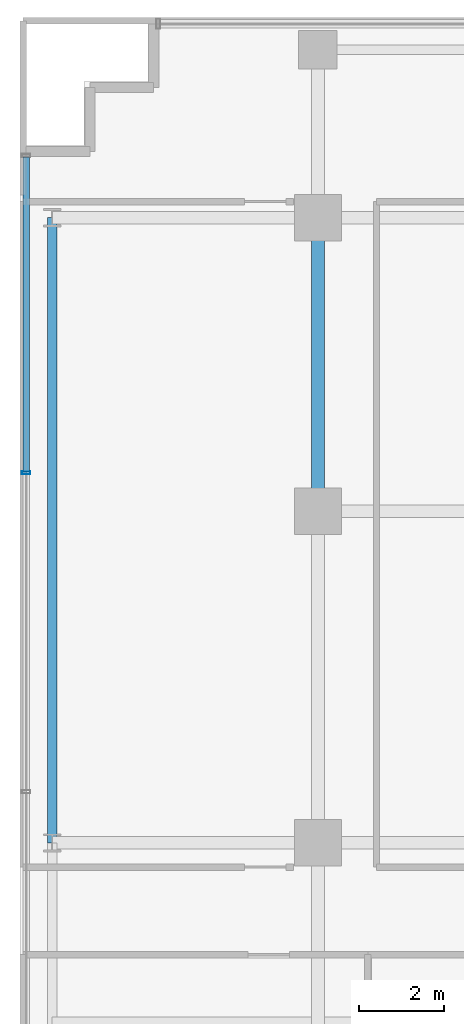
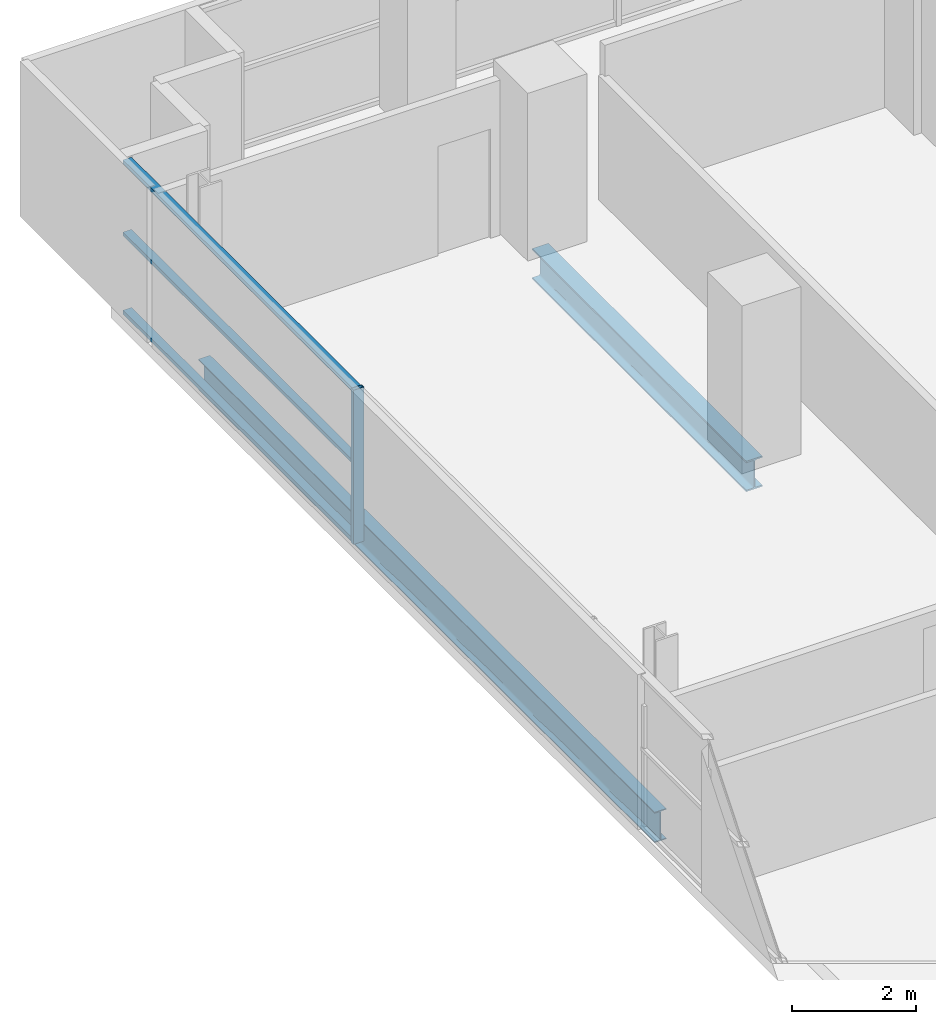
# One storey, part 9 of 27: 4 members, 2 beams, 1 element without a shape of its own.
"""IFC4 building model written with IfcOpenShell, lengths in metres."""

import ifcopenshell
import ifcopenshell.guid

model = None  # the IFC model being written
_history = None  # IfcOwnerHistory: only IFC2X3 demands one
_inside = {}  # id of a spatial element -> (the spatial element, [elements in it])
_under = {}  # id of a project, library or spatial element -> (it, [spatial elements below it])
_declared = {}  # id of a project -> (the project, [libraries it declares])
_typed = {}  # id of a type object -> (the type object, [elements of that type])
_made_of = {}  # id of a material, layer set ... -> (it, [elements and type objects made of it])


def new_model(schema):
    """Start an empty IFC model of exactly this schema.

    Asked for "IFC4X3", IfcOpenShell would pick the latest addendum, in which some entities
    have other attributes; the version numbers below select the first issue.
    IFC2X3 requires an IfcOwnerHistory on every rooted entity: one is made here for all.
    """
    global model, _history
    if schema == "IFC4X3":
        model = ifcopenshell.file(schema_version=(4, 3, 0, 0))
    else:
        model = ifcopenshell.file(schema=schema)
    _inside.clear()
    _under.clear()
    _declared.clear()
    _typed.clear()
    _made_of.clear()
    _history = None
    if model.schema == "IFC2X3":
        org = make("IfcOrganization", Name="unknown")
        user = make(
            "IfcPersonAndOrganization",
            ThePerson=make("IfcPerson", FamilyName="unknown"),
            TheOrganization=org,
        )
        app = make(
            "IfcApplication",
            ApplicationDeveloper=org,
            Version="unknown",
            ApplicationFullName="unknown",
            ApplicationIdentifier="unknown",
        )
        _history = make(
            "IfcOwnerHistory",
            OwningUser=user,
            OwningApplication=app,
            ChangeAction="ADDED",
            CreationDate=0,
        )
    return model


def make(cls, **values):
    """One entity of the class cls with the attributes given. An attribute that is None is left unset."""
    return model.create_entity(
        cls, **{name: value for name, value in values.items() if value is not None}
    )


def rooted(cls, **values):
    """An entity with a GlobalId (a new one), such as an element, a storey or a relation."""
    return make(cls, GlobalId=ifcopenshell.guid.new(), OwnerHistory=_history, **values)


def si_unit(unit_type, name, prefix=None):
    """IfcSIUnit, for example si_unit("LENGTHUNIT", "METRE", prefix="MILLI")."""
    return make("IfcSIUnit", UnitType=unit_type, Prefix=prefix, Name=name)


def assignment(units):
    """IfcUnitAssignment: the units of a project."""
    return None if units is None else make("IfcUnitAssignment", Units=units)


def point(xyz):
    """IfcCartesianPoint."""
    return None if xyz is None else make("IfcCartesianPoint", Coordinates=xyz)


def direction(xyz):
    """IfcDirection."""
    return None if xyz is None else make("IfcDirection", DirectionRatios=xyz)


def frame(location, z_axis=None, x_axis=None):
    """IfcAxis2Placement3D, a coordinate frame: its origin and axes. An axis left out is left unset."""
    return make(
        "IfcAxis2Placement3D",
        Location=point(location),
        Axis=direction(z_axis),
        RefDirection=direction(x_axis),
    )


def frame_2d(location, x_axis=None):
    """IfcAxis2Placement2D, a coordinate frame in the plane: its origin and x axis."""
    return make(
        "IfcAxis2Placement2D", Location=point(location), RefDirection=direction(x_axis)
    )


def origin():
    """The frame at (0, 0, 0) with its axes left unset."""
    return frame((0.0, 0.0, 0.0))


def origin_2d():
    """The frame at (0, 0) in the plane with its x axis left unset."""
    return frame_2d((0.0, 0.0))


def place(relative_to, where):
    """IfcLocalPlacement: puts the frame where relative to a parent placement (None: the world)."""
    return make(
        "IfcLocalPlacement", PlacementRelTo=relative_to, RelativePlacement=where
    )


def context(
    kind, dimensions, precision=None, world=None, true_north=None, identifier=None
):
    """IfcGeometricRepresentationContext, for example the 3D "Model" context."""
    return make(
        "IfcGeometricRepresentationContext",
        ContextIdentifier=identifier,
        ContextType=kind,
        CoordinateSpaceDimension=dimensions,
        Precision=precision,
        WorldCoordinateSystem=world,
        TrueNorth=true_north,
    )


def subcontext(parent, identifier, kind, view, scale=None):
    """IfcGeometricRepresentationSubContext, for example "Body" below "Model"."""
    return make(
        "IfcGeometricRepresentationSubContext",
        ContextIdentifier=identifier,
        ContextType=kind,
        ParentContext=parent,
        TargetScale=scale,
        TargetView=view,
    )


def project(units=None, contexts=None):
    """IfcProject with its units and contexts."""
    return rooted(
        "IfcProject",
        Name="project",
        RepresentationContexts=contexts,
        UnitsInContext=assignment(units),
    )


def spatial(cls, under=None, at=None, **own):
    """A site, building, storey or space (cls), placed at a placement, below another one or the project."""
    s = rooted(cls, ObjectPlacement=at, **own)
    if under is not None:
        _under.setdefault(under.id(), (under, []))[1].append(s)
    return s


def profile(cls, at=None, kind="AREA", **sizes):
    """A parametric profile (cls). Its sizes go by their IFC names, for example OverallWidth=200.0."""
    return make(cls, ProfileType=kind, Position=at, **sizes)


def hollow_rectangle(**sizes):
    """IfcRectangleHollowProfileDef."""
    return profile("IfcRectangleHollowProfileDef", **sizes)


def i_section(**sizes):
    """IfcIShapeProfileDef."""
    return profile("IfcIShapeProfileDef", **sizes)


def extrude(swept, where, along, depth):
    """IfcExtrudedAreaSolid: the profile swept, set in the frame where, extruded along a direction by depth."""
    return make(
        "IfcExtrudedAreaSolid",
        SweptArea=swept,
        Position=where,
        ExtrudedDirection=direction(along),
        Depth=depth,
    )


def shape(context_of_items, identifier, shape_type, items):
    """IfcShapeRepresentation: the items that make up one representation, for example the "Body"."""
    return make(
        "IfcShapeRepresentation",
        ContextOfItems=context_of_items,
        RepresentationIdentifier=identifier,
        RepresentationType=shape_type,
        Items=items,
    )


def source(mapping_origin, context_of_items, identifier, shape_type, items):
    """IfcRepresentationMap: a shape defined once, which mapped items show again and again."""
    return make(
        "IfcRepresentationMap",
        MappingOrigin=mapping_origin,
        MappedRepresentation=shape(context_of_items, identifier, shape_type, items),
    )


def transform(
    local_origin,
    x_axis=None,
    y_axis=None,
    z_axis=None,
    scale=None,
    scale2=None,
    scale3=None,
    uniform=True,
):
    """IfcCartesianTransformationOperator3D, or its non-uniform kind. x_axis, y_axis, z_axis: its Axis1, 2, 3."""
    if uniform:
        return make(
            "IfcCartesianTransformationOperator3D",
            Axis1=direction(x_axis),
            Axis2=direction(y_axis),
            LocalOrigin=point(local_origin),
            Scale=scale,
            Axis3=direction(z_axis),
        )
    return make(
        "IfcCartesianTransformationOperator3DnonUniform",
        Axis1=direction(x_axis),
        Axis2=direction(y_axis),
        LocalOrigin=point(local_origin),
        Scale=scale,
        Axis3=direction(z_axis),
        Scale2=scale2,
        Scale3=scale3,
    )


def mapped(mapping_source, mapping_target):
    """IfcMappedItem: shows the shape of a source again, moved by a transform."""
    return make(
        "IfcMappedItem", MappingSource=mapping_source, MappingTarget=mapping_target
    )


def material(Name=None, Category=None):
    """IfcMaterial."""
    return make("IfcMaterial", Name=Name, Category=Category)


def layer(
    of_material, thickness, ventilated=None, Name=None, Category=None, Priority=None
):
    """IfcMaterialLayer: one layer of a wall or slab, of a material (None: an air gap)."""
    return make(
        "IfcMaterialLayer",
        Material=of_material,
        LayerThickness=thickness,
        IsVentilated=ventilated,
        Name=Name,
        Category=Category,
        Priority=Priority,
    )


def layer_set(layers, Name=None):
    """IfcMaterialLayerSet."""
    return make("IfcMaterialLayerSet", MaterialLayers=layers, LayerSetName=Name)


def material_profile(
    of_material, cross_section, Name=None, Category=None, Priority=None
):
    """IfcMaterialProfile: a cross section and its material."""
    return make(
        "IfcMaterialProfile",
        Name=Name,
        Material=of_material,
        Profile=cross_section,
        Priority=Priority,
        Category=Category,
    )


def profile_set(profiles, Name=None, composite=None):
    """IfcMaterialProfileSet."""
    return make(
        "IfcMaterialProfileSet",
        Name=Name,
        MaterialProfiles=profiles,
        CompositeProfile=composite,
    )


def made_of(thing, what):
    """Note that an element or type object is made of a material, layer set ...; save() writes the relation."""
    if what is not None:
        _made_of.setdefault(what.id(), (what, []))[1].append(thing)
    return thing


def type_object(cls, material=None, **own):
    """A type object (cls), such as IfcWallType, which elements share."""
    return made_of(rooted(cls, **own), material)


def element(
    cls,
    number,
    at=None,
    inside=None,
    cuts=None,
    type_object=None,
    material=None,
    context=None,
    identifier="Body",
    shape_type=None,
    held_by="IfcProductDefinitionShape",
    body=None,
    shapes=None,
    **own,
):
    """One element of the class cls, such as IfcWall. Its Tag is "e" and its number.

    at: its placement. inside: the storey or other place that contains it. cuts: it is an
    opening in that element (IfcRelVoidsElement). A single representation is given by context,
    identifier, shape_type and body (its items); several are given by shapes. held_by: the class
    of the entity that holds the representations. save() writes the other relations.
    """
    e = rooted(cls, Tag="e%d" % number, ObjectPlacement=at, **own)
    if body is not None:
        shapes = [shape(context, identifier, shape_type, body)]
    if shapes is not None:
        e.Representation = make(held_by, Representations=shapes)
    if inside is not None:
        _inside.setdefault(inside.id(), (inside, []))[1].append(e)
    if cuts is not None:
        rooted(
            "IfcRelVoidsElement", RelatingBuildingElement=cuts, RelatedOpeningElement=e
        )
    if type_object is not None:
        _typed.setdefault(type_object.id(), (type_object, []))[1].append(e)
    return made_of(e, material)


def aggregate(whole, parts):
    """IfcRelAggregates: a whole, such as a stair, and the parts it consists of."""
    return rooted("IfcRelAggregates", RelatingObject=whole, RelatedObjects=parts)


def save(model, path):
    """Write the relations noted so far, then the file.

    IfcRelAggregates (storeys below a building ...), IfcRelContainedInSpatialStructure (elements
    in a storey), IfcRelDefinesByType, IfcRelAssociatesMaterial and IfcRelDeclares: one each for
    every whole, place, type object, material and project.
    """
    for whole, parts in _under.values():
        aggregate(whole, parts)
    for where, things in _inside.values():
        rooted(
            "IfcRelContainedInSpatialStructure",
            RelatedElements=things,
            RelatingStructure=where,
        )
    for kind, things in _typed.values():
        rooted("IfcRelDefinesByType", RelatedObjects=things, RelatingType=kind)
    for what, things in _made_of.values():
        rooted("IfcRelAssociatesMaterial", RelatedObjects=things, RelatingMaterial=what)
    for by, libraries in _declared.values():
        rooted("IfcRelDeclares", RelatingContext=by, RelatedDefinitions=libraries)
    model.write(path)


model = new_model("IFC4")

# Units and contexts
model_context = context("Model", 3, precision=1e-05, world=origin(), true_north=direction((0.0, 1.0)))
body_context = subcontext(model_context, "Body", "Model", "MODEL_VIEW")
ifc_project = project(units=[si_unit("LENGTHUNIT", "METRE"), si_unit("AREAUNIT", "SQUARE_METRE"), si_unit("VOLUMEUNIT", "CUBIC_METRE"), si_unit("PLANEANGLEUNIT", "RADIAN"), si_unit("MASSUNIT", "GRAM", prefix="KILO")], contexts=[model_context])

# Site, building, storey
site_placement = place(None, origin())
site = spatial("IfcSite", under=ifc_project, at=site_placement, CompositionType="ELEMENT")
building_placement = place(site_placement, origin())
building = spatial("IfcBuilding", under=site, at=building_placement, Name="Zarnakvel Exchange Tower", CompositionType="ELEMENT")
storey_placement = place(building_placement, frame((0.0, 0.0, 76.89990234375)))
storey = spatial("IfcBuildingStorey", under=building, at=storey_placement, Name="L21", CompositionType="ELEMENT", Elevation=76.89990234375)

# Beams
ifc_material_1 = material(Name="Steel S355", Category="steel")
ifc_material_profile_1 = material_profile(ifc_material_1, i_section(OverallWidth=0.300048828125, OverallDepth=0.60009765625, WebThickness=0.015380859375, FlangeThickness=0.030029296875, FilletRadius=0.027099609375, at=origin_2d()))
ifc_profile_set_1 = profile_set([ifc_material_profile_1], Name="Steel S355")
beam_type_1 = type_object("IfcBeamType", Name="G-04", PredefinedType="BEAM", material=ifc_profile_set_1)
beam_1_placement = place(storey_placement, frame((-21.60009765625, 6.60009765625, -0.52490234375), z_axis=(0.0, 1.0, 0.0), x_axis=(-1.0, 0.0, 0.0)))
element("IfcBeam", 1, at=beam_1_placement, inside=storey, type_object=beam_type_1, Name="L21 Tower N-S Frame Beam", PredefinedType="BEAM", context=body_context, shape_type="SweptSolid", body=[
    extrude(i_section(OverallWidth=0.300048828125, OverallDepth=0.60009765625, WebThickness=0.015380859375, FlangeThickness=0.030029296875, FilletRadius=0.027099609375, at=origin_2d()), origin(), (0.0, 0.0, 1.0), 6.89990234375),
])
ifc_material_profile_2 = material_profile(ifc_material_1, i_section(OverallWidth=0.219970703125, OverallDepth=0.60009765625, WebThickness=0.011962890625, FlangeThickness=0.01904296875, FilletRadius=0.02392578125, at=origin_2d()))
ifc_profile_set_2 = profile_set([ifc_material_profile_2], Name="Steel S355")
beam_type_2 = type_object("IfcBeamType", Name="SP-01", PredefinedType="SPANDREL", material=ifc_profile_set_2)
beam_2_placement = place(storey_placement, frame((-27.85009765625, -1.199951171875, -0.52490234375), z_axis=(0.0, 1.0, 0.0), x_axis=(-1.0, 0.0, 0.0)))
element("IfcBeam", 2, at=beam_2_placement, inside=storey, type_object=beam_type_2, Name="L21 Tower N-S Frame Beam", PredefinedType="SPANDREL", context=body_context, shape_type="SweptSolid", body=[
    extrude(i_section(OverallWidth=0.219970703125, OverallDepth=0.60009765625, WebThickness=0.011962890625, FlangeThickness=0.01904296875, FilletRadius=0.02392578125, at=origin_2d()), origin(), (0.0, 0.0, 1.0), 14.699951171875),
])

# Curtain wall, members
ifc_material_2 = material(Name="Architectural Bronze Anodised Aluminium", Category="aluminium")
ifc_layer = layer(ifc_material_2, 0.199951171875)
ifc_layer_set = layer_set([ifc_layer], Name="Architectural Bronze Anodised Aluminium")
curtain_wall_type = type_object("IfcCurtainWallType", Name="CW-04", PredefinedType="NOTDEFINED", material=ifc_layer_set)
curtain_wall_placement = place(storey_placement, origin())
curtain_wall = element("IfcCurtainWall", 3, at=curtain_wall_placement, inside=storey, type_object=curtain_wall_type, Name="L21 Curtain Wall CW-L21-W1 (CW-04)", PredefinedType="NOTDEFINED")
ifc_material_profile_3 = material_profile(ifc_material_2, hollow_rectangle(XDim=0.159912109375, YDim=0.074951171875, WallThickness=0.00390625, at=origin_2d()))
ifc_profile_set_3 = profile_set([ifc_material_profile_3], Name="Architectural Bronze Anodised Aluminium")
member_type_1 = type_object("IfcMemberType", Name="CWT-04", PredefinedType="USERDEFINED", material=ifc_profile_set_3)
shared_shape_1 = source(origin(), body_context, "Body", "SweptSolid", [
    extrude(hollow_rectangle(XDim=0.159912109375, YDim=0.074951171875, WallThickness=0.00390625, at=origin_2d()), origin(), (0.0, 0.0, 1.0), 7.387451171875),
])
member_1_placement = place(storey_placement, frame((-28.4599609375, 7.53759765625, 0.03759765625), z_axis=(0.0, 1.0, 0.0), x_axis=(-1.0, 0.0, 0.0)))
member_1 = element("IfcMember", 4, at=member_1_placement, type_object=member_type_1, Name="CW-04 transom 4.1", ObjectType="TRANSOM", PredefinedType="USERDEFINED", context=body_context, shape_type="MappedRepresentation", body=[
    mapped(shared_shape_1, transform((0.0, 0.0, 0.0), x_axis=(1.0, 0.0, 0.0), y_axis=(0.0, 1.0, 0.0), z_axis=(0.0, 0.0, 1.0), scale=1.0)),
])
member_2_placement = place(storey_placement, frame((-28.4599609375, 7.53759765625, 1.57568359375), z_axis=(0.0, 1.0, 0.0), x_axis=(-1.0, 0.0, 0.0)))
member_2 = element("IfcMember", 5, at=member_2_placement, type_object=member_type_1, Name="CW-04 transom 4.2", ObjectType="TRANSOM", PredefinedType="USERDEFINED", context=body_context, shape_type="MappedRepresentation", body=[
    mapped(shared_shape_1, transform((0.0, 0.0, 0.0), x_axis=(1.0, 0.0, 0.0), y_axis=(0.0, 1.0, 0.0), z_axis=(0.0, 0.0, 1.0), scale=1.0)),
])
member_3_placement = place(storey_placement, frame((-28.4599609375, 7.53759765625, 2.99267578125), z_axis=(0.0, 1.0, 0.0), x_axis=(-1.0, 0.0, 0.0)))
member_3 = element("IfcMember", 6, at=member_3_placement, type_object=member_type_1, Name="CW-04 transom 4.3", ObjectType="TRANSOM", PredefinedType="USERDEFINED", context=body_context, shape_type="MappedRepresentation", body=[
    mapped(shared_shape_1, transform((0.0, 0.0, 0.0), x_axis=(1.0, 0.0, 0.0), y_axis=(0.0, 1.0, 0.0), z_axis=(0.0, 0.0, 1.0), scale=1.0)),
])
ifc_material_profile_4 = material_profile(ifc_material_2, hollow_rectangle(XDim=0.199951171875, YDim=0.074951171875, WallThickness=0.0048828125, at=origin_2d()))
ifc_profile_set_4 = profile_set([ifc_material_profile_4], Name="Architectural Bronze Anodised Aluminium")
member_type_2 = type_object("IfcMemberType", Name="CWM-04", PredefinedType="MULLION", material=ifc_profile_set_4)
shared_shape_2 = source(origin(), body_context, "Body", "SweptSolid", [
    extrude(hollow_rectangle(XDim=0.199951171875, YDim=0.074951171875, WallThickness=0.0048828125, at=origin_2d()), origin(), (0.0, 0.0, 1.0), 3.030029296875),
])
member_4_placement = place(storey_placement, frame((-28.4599609375, 7.5, 0.0), z_axis=(0.0, 0.0, 1.0), x_axis=(-1.0, 0.0, 0.0)))
member_4 = element("IfcMember", 7, at=member_4_placement, type_object=member_type_2, Name="CW-04 mullion 4", PredefinedType="MULLION", context=body_context, shape_type="MappedRepresentation", body=[
    mapped(shared_shape_2, transform((0.0, 0.0, 0.0), x_axis=(1.0, 0.0, 0.0), y_axis=(0.0, 1.0, 0.0), z_axis=(0.0, 0.0, 1.0), scale=1.0)),
])
aggregate(curtain_wall, [member_4, member_1, member_2, member_3])

save(model, "model.ifc")
